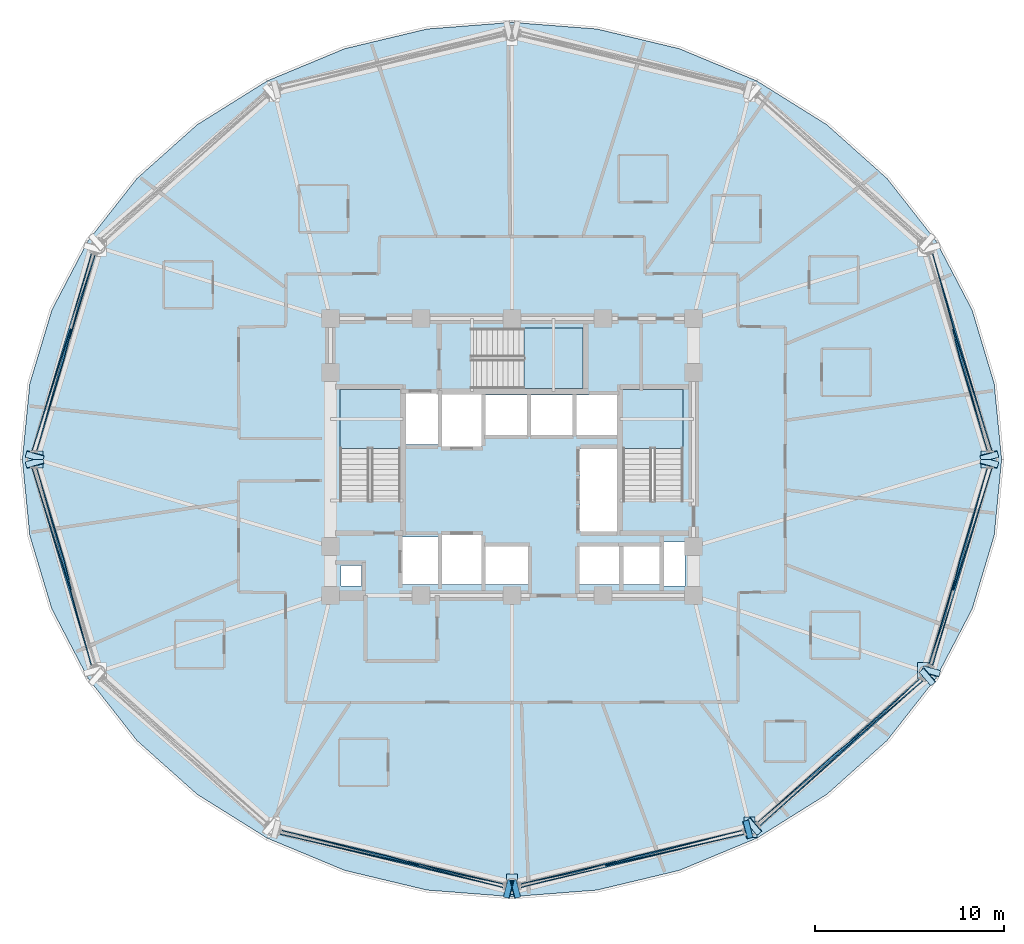
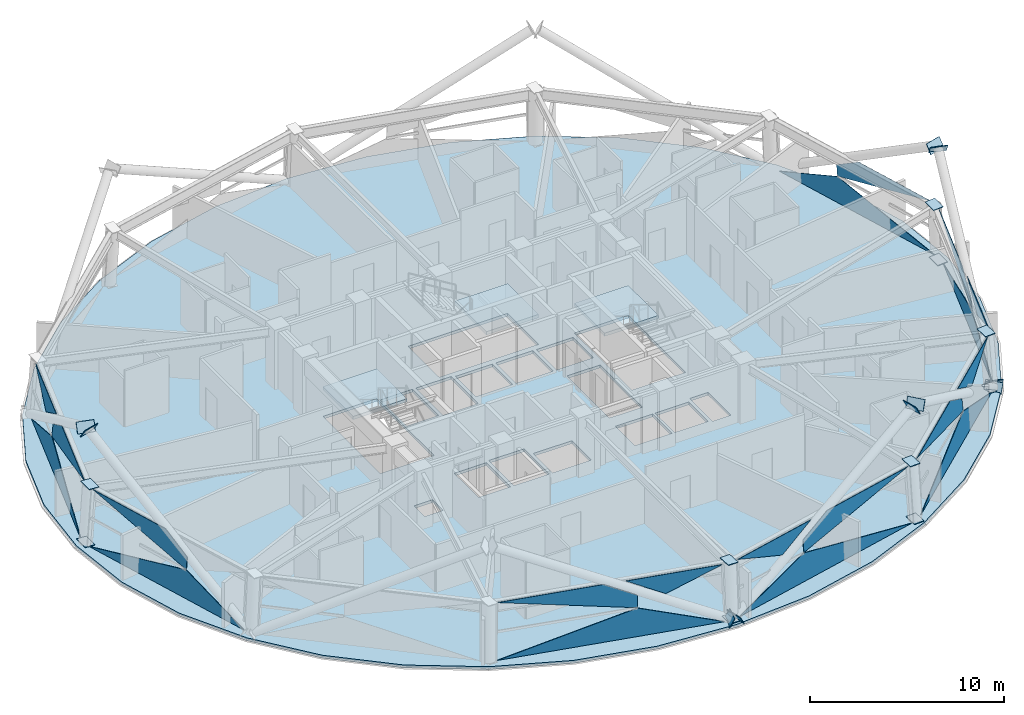
# One storey, part 4 of 13: 39 plates, 4 slabs, 10 elements without a shape of their own.
"""IFC4 building model written with IfcOpenShell, lengths in metres."""

from ifc_helpers import new_model, si_unit, direction, frame, origin, place, context, subcontext, project, spatial, polyline, outline, extrude, material, layer, layer_set, type_object, element, aggregate, save


model = new_model("IFC4")

# Units and contexts
model_context = context("Model", 3, precision=1e-05, world=origin(), true_north=direction((0.0, 1.0)))
body_context = subcontext(model_context, "Body", "Model", "MODEL_VIEW")
ifc_project = project(units=[si_unit("LENGTHUNIT", "METRE"), si_unit("AREAUNIT", "SQUARE_METRE"), si_unit("VOLUMEUNIT", "CUBIC_METRE"), si_unit("PLANEANGLEUNIT", "RADIAN"), si_unit("MASSUNIT", "GRAM", prefix="KILO")], contexts=[model_context])

# Site, building, storey
site_placement = place(None, origin())
site = spatial("IfcSite", under=ifc_project, at=site_placement, CompositionType="ELEMENT")
building_placement = place(site_placement, origin())
building = spatial("IfcBuilding", under=site, at=building_placement, Name="Vantalir Tower", CompositionType="ELEMENT")
storey_placement = place(building_placement, frame((0.0, 0.0, 127.199951171875)))
storey = spatial("IfcBuildingStorey", under=building, at=storey_placement, Name="L31", CompositionType="ELEMENT", Elevation=127.199951171875)

# Curtain wall, plates
ifc_material_1 = material(Name="Champagne-silver PVDF aluminium and double-silver Low-E glass", Category="aluminium")
ifc_layer_1 = layer(ifc_material_1, 0.199951171875)
ifc_layer_set_1 = layer_set([ifc_layer_1], Name="Champagne-silver PVDF aluminium and double-silver Low-E glass")
curtain_wall_type = type_object("IfcCurtainWallType", Name="CW-DIAMOND-Z2", PredefinedType="USERDEFINED", material=ifc_layer_set_1)
curtain_wall_1_placement = place(storey_placement, origin())
curtain_wall_1 = element("IfcCurtainWall", 1, at=curtain_wall_1_placement, inside=storey, type_object=curtain_wall_type, Name="L31 Quilted Pyramid-Diamond Curtain Wall S01", ObjectType="UNITISED CURTAIN WALL", PredefinedType="USERDEFINED")
ifc_material_2 = material(Name="Double-silver Low-E laminated glass IGU", Category="glass")
ifc_layer_2 = layer(ifc_material_2, 0.028076171875)
ifc_layer_set_2 = layer_set([ifc_layer_2], Name="Double-silver Low-E laminated glass IGU")
plate_type_1 = type_object("IfcPlateType", Name="CWP-IGU-28", PredefinedType="CURTAIN_PANEL", material=ifc_layer_set_2)
plate_1_placement = place(storey_placement, frame((56.89892578125, 25.435546875, 0.04638671875), z_axis=(0.956274068285, 0.287417436415, 0.05413985195), x_axis=(-0.287841903369, 0.957677939959, 4.4505899e-05)))
plate_1 = element("IfcPlate", 2, at=plate_1_placement, type_object=plate_type_1, Name="CW-L31-S01 Pyramid Diamond Facet 1L", PredefinedType="CURTAIN_PANEL", context=body_context, shape_type="SweptSolid", body=[
    extrude(outline(polyline([(0.0, 0.0), (10.97115794266744, -9.432558900623889e-18), (6.796343156354792, 1.7290400395863603), (0.0, 0.0)])), origin(), (0.0, 0.0, -1.0), 0.028076171875),
])
plate_2_placement = place(storey_placement, frame((56.652099609375, 25.435791015625, 3.523681640625), z_axis=(0.954484776592, 0.286921661336, 0.081454106779), x_axis=(-0.287874422382, 0.95766816515, -4.8950499e-05)))
plate_2 = element("IfcPlate", 3, at=plate_2_placement, type_object=plate_type_1, Name="CW-L31-S01 Pyramid Diamond Facet 2U", PredefinedType="CURTAIN_PANEL", context=body_context, shape_type="SweptSolid", body=[
    extrude(outline(polyline([(0.0, 0.0), (5.109077946082537, -4.762358042642578e-17), (6.725156783096906, -0.9789981395336872), (6.725089606810605, -1.7319945128944236), (0.0, 0.0)])), origin(), (0.0, 0.0, -1.0), 0.028076171875),
])
aggregate(curtain_wall_1, [plate_1, plate_2])

curtain_wall_2_placement = place(storey_placement, origin())
curtain_wall_2 = element("IfcCurtainWall", 4, at=curtain_wall_2_placement, inside=storey, type_object=curtain_wall_type, Name="L31 Quilted Pyramid-Diamond Curtain Wall S06", ObjectType="UNITISED CURTAIN WALL", PredefinedType="USERDEFINED")
plate_3_placement = place(storey_placement, frame((9.259033203125, 35.9423828125, 0.046875), z_axis=(-0.956274068285, 0.287417436415, 0.05413985195), x_axis=(-0.287841903369, -0.957677939959, -4.4505899e-05)))
plate_3 = element("IfcPlate", 5, at=plate_3_placement, type_object=plate_type_1, Name="CW-L31-S06 Pyramid Diamond Facet 1L", PredefinedType="CURTAIN_PANEL", context=body_context, shape_type="SweptSolid", body=[
    extrude(outline(polyline([(0.0, 0.0), (10.97115794266744, 9.432558900623889e-18), (4.17481478631265, 1.7290400395863603), (0.0, 0.0)])), origin(), (0.0, 0.0, -1.0), 0.028076171875),
])
plate_4_placement = place(storey_placement, frame((7.818603515625, 30.32861328125, 3.5234375), z_axis=(-0.954484776592, 0.286921661336, 0.081454106779), x_axis=(-0.287874422382, -0.95766816515, 4.8950499e-05)))
plate_4 = element("IfcPlate", 6, at=plate_4_placement, type_object=plate_type_1, Name="CW-L31-S06 Pyramid Diamond Facet 2U", PredefinedType="CURTAIN_PANEL", context=body_context, shape_type="SweptSolid", body=[
    extrude(outline(polyline([(0.0, 0.0), (5.109077946082537, 4.762358042642578e-17), (-1.6160116607280686, -1.7319945128944234), (-1.6160788370143686, -0.9789981395336872), (0.0, 0.0)])), origin(), (0.0, 0.0, -1.0), 0.028076171875),
])
plate_5_placement = place(storey_placement, frame((9.4423828125, 35.840576171875, 3.52587890625), z_axis=(-0.954464104771, 0.286951112937, 0.081592472003), x_axis=(-0.287906953715, -0.95765838546, 5.2537765e-05)))
plate_5 = element("IfcPlate", 7, at=plate_5_placement, type_object=plate_type_1, Name="CW-L31-S06 Pyramid Diamond Facet 2U Infill Light", PredefinedType="CURTAIN_PANEL", context=body_context, shape_type="SweptSolid", body=[
    extrude(outline(polyline([(0.0, 0.0), (4.646954885025732, -1.0733601507606494e-17), (2.746052111671696, -1.1516893417151626), (0.0, 0.0)])), origin(), (0.0, 0.0, -1.0), 0.028076171875),
])
aggregate(curtain_wall_2, [plate_3, plate_4, plate_5])

curtain_wall_3_placement = place(storey_placement, origin())
curtain_wall_3 = element("IfcCurtainWall", 8, at=curtain_wall_3_placement, inside=storey, type_object=curtain_wall_type, Name="L31 Quilted Pyramid-Diamond Curtain Wall S07", ObjectType="UNITISED CURTAIN WALL", PredefinedType="USERDEFINED")
plate_6_placement = place(storey_placement, frame((6.10107421875, 24.564453125, 0.04638671875), z_axis=(-0.956276171172, -0.287418070347, 0.054099327967), x_axis=(0.287841903369, -0.957677939959, 4.4505899e-05)))
plate_6 = element("IfcPlate", 9, at=plate_6_placement, type_object=plate_type_1, Name="CW-L31-S07 Pyramid Diamond Facet 1L", PredefinedType="CURTAIN_PANEL", context=body_context, shape_type="SweptSolid", body=[
    extrude(outline(polyline([(0.0, 0.0), (10.97115794266744, 5.908901840045999e-18), (6.7965769644456016, 1.7290362260009908), (0.0, 0.0)])), origin(), (0.0, 0.0, -1.0), 0.028076171875),
])
plate_7_placement = place(storey_placement, frame((6.347900390625, 24.564208984375, 3.523681640625), z_axis=(-0.954496738012, -0.286881489797, 0.081455435274), x_axis=(0.287834415422, -0.957680190473, -4.5536358e-05)))
plate_7 = element("IfcPlate", 10, at=plate_7_placement, type_object=plate_type_1, Name="CW-L31-S07 Pyramid Diamond Facet 2U", PredefinedType="CURTAIN_PANEL", context=body_context, shape_type="SweptSolid", body=[
    extrude(outline(polyline([(0.0, 0.0), (5.109077944657068, -2.279535067650773e-17), (6.7253203248369235, -0.9792662303514429), (6.725323412542212, -1.7320002262931107), (0.0, 0.0)])), origin(), (0.0, 0.0, -1.0), 0.028076171875),
])
aggregate(curtain_wall_3, [plate_6, plate_7])

curtain_wall_4_placement = place(storey_placement, origin())
curtain_wall_4 = element("IfcCurtainWall", 11, at=curtain_wall_4_placement, inside=storey, type_object=curtain_wall_type, Name="L31 Quilted Pyramid-Diamond Curtain Wall S09", ObjectType="UNITISED CURTAIN WALL", PredefinedType="USERDEFINED")
plate_8_placement = place(storey_placement, frame((19.177490234375, 5.187255859375, 0.04638671875), z_axis=(-0.232037242164, -0.971529547139, 0.04784409352), x_axis=(0.972643625373, -0.232302340973, 1.9988155e-05)))
plate_8 = element("IfcPlate", 12, at=plate_8_placement, type_object=plate_type_1, Name="CW-L31-S09 Pyramid Diamond Facet 1L", PredefinedType="CURTAIN_PANEL", context=body_context, shape_type="SweptSolid", body=[
    extrude(outline(polyline([(0.0, 0.0), (12.214264961195568, 2.4015078120553923e-17), (7.565464822141652, 1.7291238681556835), (0.0, 0.0)])), origin(), (0.0, 0.0, -1.0), 0.028076171875),
])
plate_9_placement = place(storey_placement, frame((19.300537109375, 5.378173828125, 3.523681640625), z_axis=(-0.231644734537, -0.969894203684, 0.075139540999), x_axis=(0.972643853908, -0.232301384961, 8.05913e-07)))
plate_9 = element("IfcPlate", 13, at=plate_9_placement, type_object=plate_type_1, Name="CW-L31-S09 Pyramid Diamond Facet 2U", PredefinedType="CURTAIN_PANEL", context=body_context, shape_type="SweptSolid", body=[
    extrude(outline(polyline([(0.0, 0.0), (5.710148549082247, 0.0), (7.4900020245814565, -0.976154268160542), (7.489995886162865, -1.7319483838426646), (0.0, 0.0)])), origin(), (0.0, 0.0, -1.0), 0.028076171875),
])
plate_10_placement = place(storey_placement, frame((26.0, 3.74560546875, 3.526123046875), z_axis=(-0.231622970401, -0.969877846155, 0.075417260089), x_axis=(0.972647058817, -0.232287960868, -4.7021854e-05)))
plate_10 = element("IfcPlate", 14, at=plate_10_placement, type_object=plate_type_1, Name="CW-L31-S09 Pyramid Diamond Facet 2U Infill Light", PredefinedType="CURTAIN_PANEL", context=body_context, shape_type="SweptSolid", body=[
    extrude(outline(polyline([(0.0, 0.0), (5.1920671350909995, 7.182839392716467e-18), (2.114330750410675, -1.1594526294972156), (0.0, 0.0)])), origin(), (0.0, 0.0, -1.0), 0.028076171875),
])
aggregate(curtain_wall_4, [plate_8, plate_9, plate_10])

curtain_wall_5_placement = place(storey_placement, origin())
curtain_wall_5 = element("IfcCurtainWall", 15, at=curtain_wall_5_placement, inside=storey, type_object=curtain_wall_type, Name="L31 Quilted Pyramid-Diamond Curtain Wall S10", ObjectType="UNITISED CURTAIN WALL", PredefinedType="USERDEFINED")
plate_11_placement = place(storey_placement, frame((31.9423828125, 2.349853515625, 0.046630859375), z_axis=(0.232037242164, -0.971529547139, 0.04784409352), x_axis=(0.972643625373, 0.232302340973, -1.9988155e-05)))
plate_11 = element("IfcPlate", 16, at=plate_11_placement, type_object=plate_type_1, Name="CW-L31-S10 Pyramid Diamond Facet 1L", PredefinedType="CURTAIN_PANEL", context=body_context, shape_type="SweptSolid", body=[
    extrude(outline(polyline([(0.0, 0.0), (12.214264961195568, -2.4015078120553923e-17), (4.648800139053915, 1.7291238681556835), (0.0, 0.0)])), origin(), (0.0, 0.0, -1.0), 0.028076171875),
])
plate_12_placement = place(storey_placement, frame((38.1455078125, 4.0517578125, 3.523681640625), z_axis=(0.231644734537, -0.969894203684, 0.075139540999), x_axis=(0.972643853908, 0.232301384961, -8.05913e-07)))
plate_12 = element("IfcPlate", 17, at=plate_12_placement, type_object=plate_type_1, Name="CW-L31-S10 Pyramid Diamond Facet 2U", PredefinedType="CURTAIN_PANEL", context=body_context, shape_type="SweptSolid", body=[
    extrude(outline(polyline([(0.0, 0.0), (5.710148549082247, 0.0), (-1.779847337080618, -1.7319483838426646), (-1.7798534754992097, -0.976154268160542), (0.0, 0.0)])), origin(), (0.0, 0.0, -1.0), 0.028076171875),
])
plate_13_placement = place(storey_placement, frame((31.949951171875, 2.53955078125, 3.52587890625), z_axis=(0.231622970401, -0.969877846155, 0.075417260089), x_axis=(0.972647058817, 0.232287960868, 4.7021854e-05)))
plate_13 = element("IfcPlate", 18, at=plate_13_placement, type_object=plate_type_1, Name="CW-L31-S10 Pyramid Diamond Facet 2U Infill Light", PredefinedType="CURTAIN_PANEL", context=body_context, shape_type="SweptSolid", body=[
    extrude(outline(polyline([(0.0, 0.0), (5.1920671350909995, -7.182839392716467e-18), (3.077736384680324, -1.1594526294972156), (0.0, 0.0)])), origin(), (0.0, 0.0, -1.0), 0.028076171875),
])
aggregate(curtain_wall_5, [plate_11, plate_12, plate_13])

curtain_wall_6_placement = place(storey_placement, origin())
curtain_wall_6 = element("IfcCurtainWall", 19, at=curtain_wall_6_placement, inside=storey, type_object=curtain_wall_type, Name="L31 Quilted Pyramid-Diamond Curtain Wall S11", ObjectType="UNITISED CURTAIN WALL", PredefinedType="USERDEFINED")
plate_14_placement = place(storey_placement, frame((44.6044921875, 5.595703125, 0.04638671875), z_axis=(0.664499165882, -0.745557236644, 0.050845505505), x_axis=(0.746522128378, 0.665360587501, 2.1031755e-05)))
plate_14 = element("IfcPlate", 20, at=plate_14_placement, type_object=plate_type_1, Name="CW-L31-S11 Pyramid Diamond Facet 1L", PredefinedType="CURTAIN_PANEL", context=body_context, shape_type="SweptSolid", body=[
    extrude(outline(polyline([(0.0, 0.0), (11.60819104345454, -6.564844154399729e-17), (7.175423279333634, 1.728891997896114), (0.0, 0.0)])), origin(), (0.0, 0.0, -1.0), 0.028076171875),
])
plate_15_placement = place(storey_placement, frame((44.481689453125, 5.78662109375, 3.523681640625), z_axis=(0.66335293728, -0.744234649954, 0.077959389496), x_axis=(0.746508999097, 0.665375316772, -4.5809633e-05)))
plate_15 = element("IfcPlate", 21, at=plate_15_placement, type_object=plate_type_1, Name="CW-L31-S11 Pyramid Diamond Facet 2U", PredefinedType="CURTAIN_PANEL", context=body_context, shape_type="SweptSolid", body=[
    extrude(outline(polyline([(0.0, 0.0), (5.4363817946983595, -2.5804011705155006e-17), (7.1398926772390965, -0.976521888032982), (7.140029814581112, -1.7319998791792566), (0.0, 0.0)])), origin(), (0.0, 0.0, -1.0), 0.028076171875),
])
plate_16_placement = place(storey_placement, frame((49.415771484375, 10.141357421875, 3.526123046875), z_axis=(0.663392360421, -0.744214225518, 0.077818780976), x_axis=(0.746480488313, 0.665407302403, -4.9768684e-05)))
plate_16 = element("IfcPlate", 22, at=plate_16_placement, type_object=plate_type_1, Name="CW-L31-S11 Pyramid Diamond Facet 2U Infill Light", PredefinedType="CURTAIN_PANEL", context=body_context, shape_type="SweptSolid", body=[
    extrude(outline(polyline([(0.0, 0.0), (4.905506964624447, -3.4423418976414766e-17), (2.0115767490665033, -1.1532995887870663), (0.0, 0.0)])), origin(), (0.0, 0.0, -1.0), 0.028076171875),
])
aggregate(curtain_wall_6, [plate_14, plate_15, plate_16])

curtain_wall_7_placement = place(storey_placement, origin())
curtain_wall_7 = element("IfcCurtainWall", 23, at=curtain_wall_7_placement, inside=storey, type_object=curtain_wall_type, Name="L31 Quilted Pyramid-Diamond Curtain Wall S12", ObjectType="UNITISED CURTAIN WALL", PredefinedType="USERDEFINED")
plate_17_placement = place(storey_placement, frame((53.740966796875, 14.0576171875, 0.046875), z_axis=(0.956276171172, -0.287418070347, 0.054099327967), x_axis=(0.287841903369, 0.957677939959, -4.4505899e-05)))
plate_17 = element("IfcPlate", 24, at=plate_17_placement, type_object=plate_type_1, Name="CW-L31-S12 Pyramid Diamond Facet 1L", PredefinedType="CURTAIN_PANEL", context=body_context, shape_type="SweptSolid", body=[
    extrude(outline(polyline([(0.0, 0.0), (10.97115794266744, -5.908901840045999e-18), (4.17458097822184, 1.7290362260009908), (0.0, 0.0)])), origin(), (0.0, 0.0, -1.0), 0.028076171875),
])
plate_18_placement = place(storey_placement, frame((55.181396484375, 19.67138671875, 3.5234375), z_axis=(0.954496738012, -0.286881489797, 0.081455435274), x_axis=(0.287834415422, 0.957680190473, 4.5536358e-05)))
plate_18 = element("IfcPlate", 25, at=plate_18_placement, type_object=plate_type_1, Name="CW-L31-S12 Pyramid Diamond Facet 2U", PredefinedType="CURTAIN_PANEL", context=body_context, shape_type="SweptSolid", body=[
    extrude(outline(polyline([(0.0, 0.0), (5.109077944657068, 2.279535067650773e-17), (-1.616245467885144, -1.7320002262931107), (-1.6162423801798558, -0.9792662303514429), (0.0, 0.0)])), origin(), (0.0, 0.0, -1.0), 0.028076171875),
])
plate_19_placement = place(storey_placement, frame((53.5576171875, 14.158447265625, 3.52587890625), z_axis=(0.954484302603, -0.286909959911, 0.081500864952), x_axis=(0.28786350339, 0.957671447135, 5.2529836e-05)))
plate_19 = element("IfcPlate", 26, at=plate_19_placement, type_object=plate_type_1, Name="CW-L31-S12 Pyramid Diamond Facet 2U Infill Light", PredefinedType="CURTAIN_PANEL", context=body_context, shape_type="SweptSolid", body=[
    extrude(outline(polyline([(0.0, 0.0), (4.647656299759709, -1.0652286344670081e-17), (2.7467492611521083, -1.1519256511691902), (0.0, 0.0)])), origin(), (0.0, 0.0, -1.0), 0.028076171875),
])
aggregate(curtain_wall_7, [plate_17, plate_18, plate_19])

# Plates
ifc_material_3 = material(Name="Steel S460", Category="steel")
ifc_layer_3 = layer(ifc_material_3, 0.0400390625)
ifc_layer_set_3 = layer_set([ifc_layer_3], Name="Steel S460")
plate_type_2 = type_object("IfcPlateType", Name="PLT-KN-Z1", PredefinedType="USERDEFINED", material=ifc_layer_set_3)
plate_20_placement = place(storey_placement, frame((56.325439453125, 24.87255859375, 6.87744140625), z_axis=(0.229653914596, -0.823787271639, 0.518298765768), x_axis=(0.963266497914, 0.268547302655, 1.5295647e-05)))
element("IfcPlate", 27, at=plate_20_placement, inside=storey, type_object=plate_type_2, Name="Node Cap Plate MEM-DG-L31-R04R End", ObjectType="FLANGE_PLATE", PredefinedType="USERDEFINED", context=body_context, shape_type="SweptSolid", body=[
    extrude(outline(polyline([(0.0, 0.0), (0.949940128284843, -2.7755575615628914e-17), (0.9500666244146412, 0.6200410916165628), (-0.00010867635504390733, 0.6200750760735637), (0.0, 0.0)])), origin(), (0.0, 0.0, -1.0), 0.0400390625),
])
plate_21_placement = place(storey_placement, frame((5.759521484375, 25.127685546875, 6.87744140625), z_axis=(-0.229653914596, -0.823787271639, 0.518298765768), x_axis=(0.963266497914, -0.268547302655, -1.5295647e-05)))
element("IfcPlate", 28, at=plate_21_placement, inside=storey, type_object=plate_type_2, Name="Node Cap Plate MEM-DG-L31-R16L End", ObjectType="FLANGE_PLATE", PredefinedType="USERDEFINED", context=body_context, shape_type="SweptSolid", body=[
    extrude(outline(polyline([(0.0, 0.0), (0.949940128284843, 2.7755575615628914e-17), (0.9500488046398868, 0.6200750760735637), (-0.0001264961297983064, 0.6200410916165628), (0.0, 0.0)])), origin(), (0.0, 0.0, -1.0), 0.0400390625),
])
plate_22_placement = place(storey_placement, frame((6.674560546875, 25.12744140625, 6.87744140625), z_axis=(-0.229653914596, 0.823787271639, 0.518298765768), x_axis=(-0.963266497914, -0.268547302655, 1.5295647e-05)))
element("IfcPlate", 29, at=plate_22_placement, inside=storey, type_object=plate_type_2, Name="Node Cap Plate MEM-DG-L31-R22R End", ObjectType="FLANGE_PLATE", PredefinedType="USERDEFINED", context=body_context, shape_type="SweptSolid", body=[
    extrude(outline(polyline([(0.0, 0.0), (0.949940128284843, -2.7755575615628914e-17), (0.9500666244146412, 0.6200410916165628), (-0.00010867635504390733, 0.6200750760735637), (0.0, 0.0)])), origin(), (0.0, 0.0, -1.0), 0.0400390625),
])
plate_23_placement = place(storey_placement, frame((31.9560546875, 1.87060546875, -0.08203125), z_axis=(0.849163873322, 0.217725662174, 0.481161357837), x_axis=(-0.248345317518, 0.968671565466, -3.9043608e-05)))
element("IfcPlate", 30, at=plate_23_placement, inside=storey, type_object=plate_type_2, Name="Node Cap Plate MEM-DG-L31-R28L Start", ObjectType="FLANGE_PLATE", PredefinedType="USERDEFINED", context=body_context, shape_type="SweptSolid", body=[
    extrude(outline(polyline([(0.0, 0.0), (0.9499083757236314, 1.3877787807814457e-17), (0.9500173748775769, 0.6199797567109566), (-0.00018812410850180944, 0.6198951290716097), (0.0, 0.0)])), origin(), (0.0, 0.0, -1.0), 0.0400390625),
])
plate_24_placement = place(storey_placement, frame((44.24462890625, 5.02001953125, 6.8779296875), z_axis=(0.849281928704, 0.217672152594, 0.48097717156), x_axis=(-0.248276411705, 0.968689229521, 0.0)))
element("IfcPlate", 31, at=plate_24_placement, inside=storey, type_object=plate_type_2, Name="Node Cap Plate MEM-DG-L31-R28L End", ObjectType="FLANGE_PLATE", PredefinedType="USERDEFINED", context=body_context, shape_type="SweptSolid", body=[
    extrude(outline(polyline([(0.0, 0.0), (0.9499083788509355, 1.3877787807814457e-17), (0.9499567573915874, 0.6198659774651539), (4.837854065190657e-05, 0.6198659774651539), (0.0, 0.0)])), origin(), (0.0, 0.0, -1.0), 0.0400390625),
])
plate_25_placement = place(storey_placement, frame((31.27978515625, 2.790771484375, -0.08203125), z_axis=(-0.849163873322, 0.217725662174, 0.481161357837), x_axis=(-0.248345317518, -0.968671565466, 3.9043608e-05)))
element("IfcPlate", 32, at=plate_25_placement, inside=storey, type_object=plate_type_2, Name="Node Cap Plate MEM-DG-L31-R28R Start", ObjectType="FLANGE_PLATE", PredefinedType="USERDEFINED", context=body_context, shape_type="SweptSolid", body=[
    extrude(outline(polyline([(0.0, 0.0), (0.9499083757236314, -1.3877787807814457e-17), (0.9500964998321331, 0.6198951290716097), (-0.00010899915394550079, 0.6199797567109566), (0.0, 0.0)])), origin(), (0.0, 0.0, -1.0), 0.0400390625),
])
plate_26_placement = place(storey_placement, frame((54.1630859375, 13.8369140625, -0.06689453125), z_axis=(0.22987995542, 0.823699878502, 0.518337454032), x_axis=(-0.963193206575, 0.268810057118, 0.0)))
element("IfcPlate", 33, at=plate_26_placement, inside=storey, type_object=plate_type_2, Name="Node Cap Plate MEM-DG-L31-R34L Start", ObjectType="FLANGE_PLATE", PredefinedType="USERDEFINED", context=body_context, shape_type="SweptSolid", body=[
    extrude(outline(polyline([(0.0, 0.0), (0.9500057270479744, 2.7755575615628914e-17), (0.9500348390358164, 0.6200750855473708), (2.9111987842133505e-05, 0.6200750855473708), (0.0, 0.0)])), origin(), (0.0, 0.0, -1.0), 0.0400390625),
])
plate_27_placement = place(storey_placement, frame((57.240478515625, 24.872314453125, 6.87744140625), z_axis=(0.229653914596, 0.823787271639, 0.518298765768), x_axis=(-0.963266497914, 0.268547302655, -1.5295647e-05)))
element("IfcPlate", 34, at=plate_27_placement, inside=storey, type_object=plate_type_2, Name="Node Cap Plate MEM-DG-L31-R34L End", ObjectType="FLANGE_PLATE", PredefinedType="USERDEFINED", context=body_context, shape_type="SweptSolid", body=[
    extrude(outline(polyline([(0.0, 0.0), (0.949940128284843, 2.7755575615628914e-17), (0.9500488046398868, 0.6200750760735637), (-0.0001264961297983064, 0.6200410916165628), (0.0, 0.0)])), origin(), (0.0, 0.0, -1.0), 0.0400390625),
])
plate_28_placement = place(storey_placement, frame((53.033447265625, 13.752685546875, -0.075439453125), z_axis=(-0.657880455945, -0.565362533472, 0.497552521279), x_axis=(0.651764433453, -0.758421468107, 0.0)))
element("IfcPlate", 35, at=plate_28_placement, inside=storey, type_object=plate_type_2, Name="Node Cap Plate MEM-DG-L31-R34R Start", ObjectType="FLANGE_PLATE", PredefinedType="USERDEFINED", context=body_context, shape_type="SweptSolid", body=[
    extrude(outline(polyline([(0.0, 0.0), (0.9499453993214806, 2.7755575615628914e-17), (0.9498113752803818, 0.6200378222350169), (-0.0001340240410987885, 0.6200378222350169), (0.0, 0.0)])), origin(), (0.0, 0.0, -1.0), 0.0400390625),
])
plate_29_placement = place(storey_placement, frame((43.839111328125, 5.85009765625, 6.877685546875), z_axis=(-0.657964454071, -0.565434718917, 0.497359382964), x_axis=(0.651764433453, -0.758421468107, 0.0)))
element("IfcPlate", 36, at=plate_29_placement, inside=storey, type_object=plate_type_2, Name="Node Cap Plate MEM-DG-L31-R34R End", ObjectType="FLANGE_PLATE", PredefinedType="USERDEFINED", context=body_context, shape_type="SweptSolid", body=[
    extrude(outline(polyline([(0.0, 0.0), (0.9499453993214806, 0.0), (0.949996536771619, 0.6199586659604027), (5.1137450138307313e-05, 0.6199586659604027), (0.0, 0.0)])), origin(), (0.0, 0.0, -1.0), 0.0400390625),
])
ifc_layer_4 = layer(ifc_material_3, 0.035888671875)
ifc_layer_set_4 = layer_set([ifc_layer_4], Name="Steel S460")
plate_type_3 = type_object("IfcPlateType", Name="PLT-KN-Z2", PredefinedType="USERDEFINED", material=ifc_layer_set_4)
for number, where, z_axis, x_axis, name in (
    (37, (56.3017578125, 25.43994140625, 3.577880859375), (-0.06903323004, 0.0, 0.997614360938), (0.0, -1.0, 0.0), "L31 Ring Column Top Cap RC01"),
    (38, (56.547119140625, 25.43994140625, 0.032958984375), (-0.06903323004, 0.0, 0.997614360938), (0.0, -1.0, 0.0), "L31 Ring Column Base Cap RC01"),
    (39, (6.11962890625, 25.43994140625, 3.617919921875), (0.06903323004, 0.0, 0.997614360938), (0.0, -1.0, 0.0), "L31 Ring Column Top Cap RC07"),
    (40, (5.874267578125, 25.43994140625, 0.072998046875), (0.06903323004, 0.0, 0.997614360938), (0.0, -1.0, 0.0), "L31 Ring Column Base Cap RC07"),
):
    element("IfcPlate", number, at=place(storey_placement, frame(where, z_axis=z_axis, x_axis=x_axis)), inside=storey, type_object=plate_type_3, Name=name, ObjectType="FLANGE_PLATE", PredefinedType="USERDEFINED", context=body_context, shape_type="SweptSolid", body=[
        extrude(outline(polyline([(0.0, 0.0), (0.8798828125, 0.0), (0.8798828125, 0.5799969446167544), (0.0, 0.5799969446167544), (0.0, 0.0)])), origin(), (0.0, 0.0, -1.0), 0.035888671875),
    ])
plate_30_placement = place(storey_placement, frame((31.2099609375, 3.095947265625, 3.57080078125), z_axis=(0.0, 0.061860176778, 0.998084825317), x_axis=(0.0, -0.998084825317, 0.061860176778)))
element("IfcPlate", 41, at=plate_30_placement, inside=storey, type_object=plate_type_3, Name="L31 Ring Column Top Cap RC10", ObjectType="FLANGE_PLATE", PredefinedType="USERDEFINED", context=body_context, shape_type="SweptSolid", body=[
    extrude(outline(polyline([(0.0, 0.0), (0.8801035207308919, 0.0), (0.8801035207308919, 0.5800781249999999), (0.0, 0.5800781249999999), (0.0, 0.0)])), origin(), (0.0, 0.0, -1.0), 0.035888671875),
])
plate_31_placement = place(storey_placement, frame((31.2099609375, 2.87646484375, 0.02587890625), z_axis=(0.0, 0.0615838313, 0.998101914497), x_axis=(0.0, -0.998101914497, 0.0615838313)))
element("IfcPlate", 42, at=plate_31_placement, inside=storey, type_object=plate_type_3, Name="L31 Ring Column Base Cap RC10", ObjectType="FLANGE_PLATE", PredefinedType="USERDEFINED", context=body_context, shape_type="SweptSolid", body=[
    extrude(outline(polyline([(0.0, 0.0), (0.8800884518819607, 0.0), (0.8800884518819607, 0.580078125), (0.0, 0.580078125), (0.0, 0.0)])), origin(), (0.0, 0.0, -1.0), 0.035888671875),
])
plate_32_placement = place(storey_placement, frame((43.756103515625, 6.08935546875, 3.564453125), z_axis=(-0.034336460706, 0.053655736625, 0.99796897216), x_axis=(-4.753759e-06, -0.998557800612, 0.053687231389)))
element("IfcPlate", 43, at=plate_32_placement, inside=storey, type_object=plate_type_3, Name="L31 Ring Column Top Cap RC11", ObjectType="FLANGE_PLATE", PredefinedType="USERDEFINED", context=body_context, shape_type="SweptSolid", body=[
    extrude(outline(polyline([(0.0, 0.0), (0.8799245996242346, -2.168404344971009e-19), (0.8800214823375472, 0.580180282769951), (8.377547908686991e-05, 0.5801719118725512), (0.0, 0.0)])), origin(), (0.0, 0.0, -1.0), 0.035888671875),
])
plate_33_placement = place(storey_placement, frame((43.87841796875, 5.898681640625, 0.019287109375), z_axis=(-0.03435090719, 0.053655709972, 0.997968476437), x_axis=(4.755686e-06, -0.998557783068, 0.0536875577)))
element("IfcPlate", 44, at=plate_33_placement, inside=storey, type_object=plate_type_3, Name="L31 Ring Column Base Cap RC11", ObjectType="FLANGE_PLATE", PredefinedType="USERDEFINED", context=body_context, shape_type="SweptSolid", body=[
    extrude(outline(polyline([(0.0, 0.0), (0.8799377068982851, -2.168404344971009e-19), (0.8800270015857118, 0.5799279126862383), (0.00010240200131829825, 0.5799362869808088), (0.0, 0.0)])), origin(), (0.0, 0.0, -1.0), 0.035888671875),
])
plate_34_placement = place(storey_placement, frame((52.93994140625, 14.26708984375, 3.567138671875), z_axis=(-0.059813102071, 0.030742180795, 0.997736092933), x_axis=(-2.55053e-07, -0.999525650491, 0.030797305239)))
element("IfcPlate", 45, at=plate_34_placement, inside=storey, type_object=plate_type_3, Name="L31 Ring Column Top Cap RC12", ObjectType="FLANGE_PLATE", PredefinedType="USERDEFINED", context=body_context, shape_type="SweptSolid", body=[
    extrude(outline(polyline([(0.0, 0.0), (0.8800560106448957, 2.168404344971009e-19), (0.879903418935991, 0.5798958956009514), (9.14331081097871e-05, 0.5798954459359402), (0.0, 0.0)])), origin(), (0.0, 0.0, -1.0), 0.035888671875),
])
plate_35_placement = place(storey_placement, frame((53.15234375, 14.157958984375, 0.02197265625), z_axis=(-0.059806642976, 0.030737930566, 0.997736611076), x_axis=(0.0, -0.999525781572, 0.030793050723)))
element("IfcPlate", 46, at=plate_35_placement, inside=storey, type_object=plate_type_3, Name="L31 Ring Column Base Cap RC12", ObjectType="FLANGE_PLATE", PredefinedType="USERDEFINED", context=body_context, shape_type="SweptSolid", body=[
    extrude(outline(polyline([(0.0, 0.0), (0.8800560106528968, 2.168404344971009e-19), (0.8801474437770079, 0.5798954459480804), (9.143312411113568e-05, 0.5798954459480804), (0.0, 0.0)])), origin(), (0.0, 0.0, -1.0), 0.035888671875),
])

# Stair, slab
ifc_material_4 = material(Name="Concrete C40/50", Category="concrete")
stair_type = type_object("IfcStairType", Name="STR-CORE-1450", PredefinedType="HALF_TURN_STAIR", material=ifc_material_4)
stair_1_placement = place(storey_placement, origin())
stair_1 = element("IfcStair", 47, at=stair_1_placement, inside=storey, type_object=stair_type, Name="L31 Core Exit Stair 1", PredefinedType="HALF_TURN_STAIR")
ifc_layer_5 = layer(ifc_material_4, 0.199951171875)
ifc_layer_set_5 = layer_set([ifc_layer_5], Name="Concrete C40/50")
slab_type_1 = type_object("IfcSlabType", Name="SL-LAND-200", PredefinedType="LANDING", material=ifc_layer_set_5)
slab_1_placement = place(storey_placement, frame((0.0, 0.0, 1.675048828125)))
slab_1 = element("IfcSlab", 48, at=slab_1_placement, type_object=slab_type_1, Name="ST1 landing 1", PredefinedType="LANDING", context=body_context, shape_type="SweptSolid", body=[
    extrude(outline(polyline([(25.60009765625, 25.590087890625), (25.60009765625, 28.699951171875), (22.39990234375, 28.699951171875), (22.39990234375, 25.590087890625), (25.60009765625, 25.590087890625)])), origin(), (0.0, 0.0, 1.0), 0.199951171875),
])
aggregate(stair_1, [slab_1])

stair_2_placement = place(storey_placement, origin())
stair_2 = element("IfcStair", 49, at=stair_2_placement, inside=storey, type_object=stair_type, Name="L31 Core Exit Stair 2", PredefinedType="HALF_TURN_STAIR")
slab_2_placement = place(storey_placement, frame((0.0, 0.0, 1.675048828125)))
slab_2 = element("IfcSlab", 50, at=slab_2_placement, type_object=slab_type_1, Name="ST2 landing 1", PredefinedType="LANDING", context=body_context, shape_type="SweptSolid", body=[
    extrude(outline(polyline([(40.550048828125, 25.590087890625), (40.550048828125, 28.699951171875), (37.35009765625, 28.699951171875), (37.35009765625, 25.590087890625), (40.550048828125, 25.590087890625)])), origin(), (0.0, 0.0, 1.0), 0.199951171875),
])
aggregate(stair_2, [slab_2])

stair_3_placement = place(storey_placement, origin())
stair_3 = element("IfcStair", 51, at=stair_3_placement, inside=storey, type_object=stair_type, Name="L31 Core Exit Stair 3", PredefinedType="HALF_TURN_STAIR")
slab_3_placement = place(storey_placement, frame((0.0, 0.0, 1.675048828125)))
slab_3 = element("IfcSlab", 52, at=slab_3_placement, type_object=slab_type_1, Name="ST3 landing 1", PredefinedType="LANDING", context=body_context, shape_type="SweptSolid", body=[
    extrude(outline(polyline([(32.139892578125, 28.75), (35.25, 28.75), (35.25, 31.949951171875), (32.139892578125, 31.949951171875), (32.139892578125, 28.75)])), origin(), (0.0, 0.0, 1.0), 0.199951171875),
])
aggregate(stair_3, [slab_3])

# Slab
ifc_layer_6 = layer(ifc_material_4, 0.179931640625)
ifc_layer_set_6 = layer_set([ifc_layer_6], Name="Concrete C40/50")
slab_type_2 = type_object("IfcSlabType", Name="SL-TWR-180", PredefinedType="FLOOR", material=ifc_layer_set_6)
slab_4_placement = place(storey_placement, frame((0.0, 0.0, -0.179931640625)))
element("IfcSlab", 53, at=slab_4_placement, inside=storey, type_object=slab_type_2, Name="L31 Primary Structural Slab", PredefinedType="FLOOR", context=body_context, shape_type="SweptSolid", body=[
    extrude(outline(polyline([(9.0791015625, 13.44189453125), (11.6669921875, 10.14111328125), (14.85791015625, 7.2919921875), (18.554931640625, 4.98095703125), (22.64501953125, 3.278076171875), (27.00390625, 2.235107421875), (31.5, 1.884033203125), (35.99609375, 2.235107421875), (40.35498046875, 3.278076171875), (44.445068359375, 4.98095703125), (48.14208984375, 7.2919921875), (51.3330078125, 10.14111328125), (53.9208984375, 13.44189453125), (55.8291015625, 17.093994140625), (56.9970703125, 20.986083984375), (57.389892578125, 25.0), (56.9970703125, 29.013916015625), (55.8291015625, 32.906005859375), (53.9208984375, 36.55810546875), (51.3330078125, 39.85888671875), (48.14208984375, 42.7080078125), (44.445068359375, 45.01904296875), (40.35498046875, 46.721923828125), (35.99609375, 47.764892578125), (31.5, 48.115966796875), (27.00390625, 47.764892578125), (22.64501953125, 46.721923828125), (18.554931640625, 45.01904296875), (14.85791015625, 42.7080078125), (11.6669921875, 39.85888671875), (9.0791015625, 36.55810546875), (7.1708984375, 32.906005859375), (6.0029296875, 29.013916015625), (5.610107421875, 25.0), (6.0029296875, 20.986083984375), (7.1708984375, 17.093994140625), (9.0791015625, 13.44189453125)]), holes=[polyline([(22.39990234375, 22.7900390625), (22.39990234375, 28.699951171875), (25.60009765625, 28.699951171875), (25.60009765625, 22.7900390625), (22.39990234375, 22.7900390625)]), polyline([(37.35009765625, 28.699951171875), (40.550048828125, 28.699951171875), (40.550048828125, 22.7900390625), (37.35009765625, 22.7900390625), (37.35009765625, 28.699951171875)]), polyline([(35.25, 28.75), (29.340087890625, 28.75), (29.340087890625, 31.949951171875), (35.25, 31.949951171875), (35.25, 28.75)]), polyline([(27.60009765625, 18.39990234375), (25.699951171875, 18.39990234375), (25.699951171875, 20.89990234375), (27.60009765625, 20.89990234375), (27.60009765625, 18.39990234375)]), polyline([(25.699951171875, 25.800048828125), (25.699951171875, 28.5), (27.60009765625, 28.5), (27.60009765625, 25.800048828125), (25.699951171875, 25.800048828125)]), polyline([(27.800048828125, 21.0), (29.89990234375, 21.0), (29.89990234375, 18.39990234375), (27.800048828125, 18.39990234375), (27.800048828125, 21.0)]), polyline([(29.89990234375, 28.5), (29.89990234375, 25.699951171875), (27.800048828125, 25.699951171875), (27.800048828125, 28.5), (29.89990234375, 28.5)]), polyline([(32.39990234375, 18.39990234375), (30.10009765625, 18.39990234375), (30.10009765625, 20.39990234375), (32.39990234375, 20.39990234375), (32.39990234375, 18.39990234375)]), polyline([(37.35009765625, 18.39990234375), (37.35009765625, 20.39990234375), (39.35009765625, 20.39990234375), (39.35009765625, 18.39990234375), (37.35009765625, 18.39990234375)]), polyline([(35.0, 20.39990234375), (37.199951171875, 20.39990234375), (37.199951171875, 18.39990234375), (35.0, 18.39990234375), (35.0, 20.39990234375)]), polyline([(32.300048828125, 28.39990234375), (32.300048828125, 26.300048828125), (30.10009765625, 26.300048828125), (30.10009765625, 28.39990234375), (32.300048828125, 28.39990234375)]), polyline([(34.699951171875, 26.300048828125), (32.5, 26.300048828125), (32.5, 28.39990234375), (34.699951171875, 28.39990234375), (34.699951171875, 26.300048828125)]), polyline([(34.89990234375, 26.300048828125), (34.89990234375, 28.39990234375), (37.10009765625, 28.39990234375), (37.10009765625, 26.300048828125), (34.89990234375, 26.300048828125)]), polyline([(35.10009765625, 25.56005859375), (37.06005859375, 25.56005859375), (37.06005859375, 21.199951171875), (35.10009765625, 21.199951171875), (35.10009765625, 25.56005859375)]), polyline([(23.550048828125, 19.39990234375), (23.550048828125, 18.300048828125), (22.449951171875, 18.300048828125), (22.449951171875, 19.39990234375), (23.550048828125, 19.39990234375)]), polyline([(40.64990234375, 18.300048828125), (39.550048828125, 18.300048828125), (39.550048828125, 20.64990234375), (40.64990234375, 20.64990234375), (40.64990234375, 18.300048828125)])]), origin(), (0.0, 0.0, 1.0), 0.179931640625),
])

save(model, "model.ifc")
